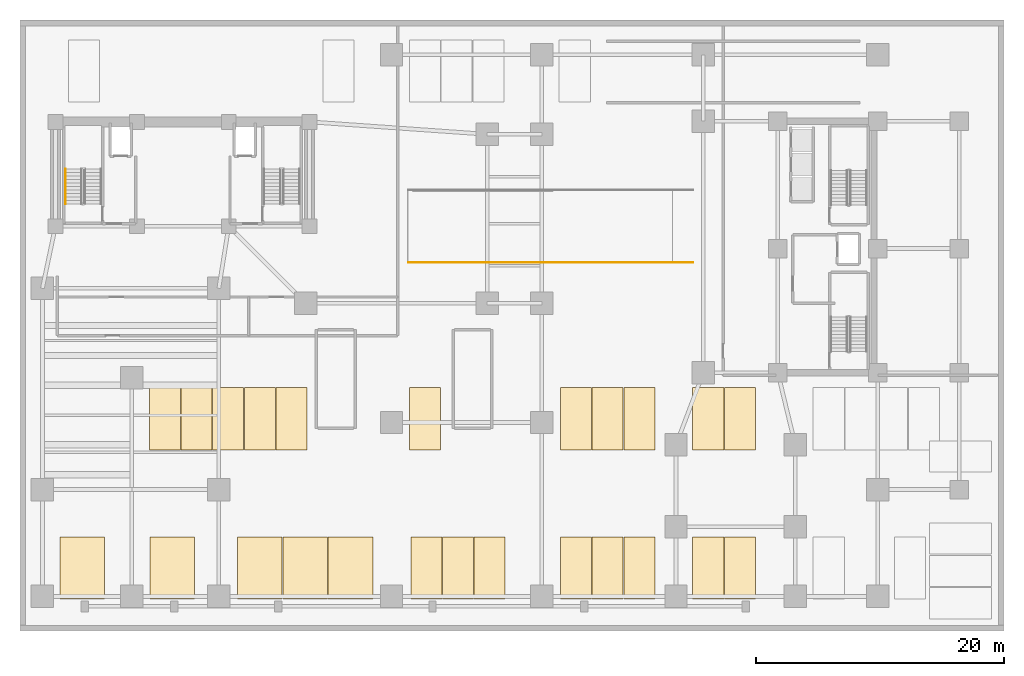
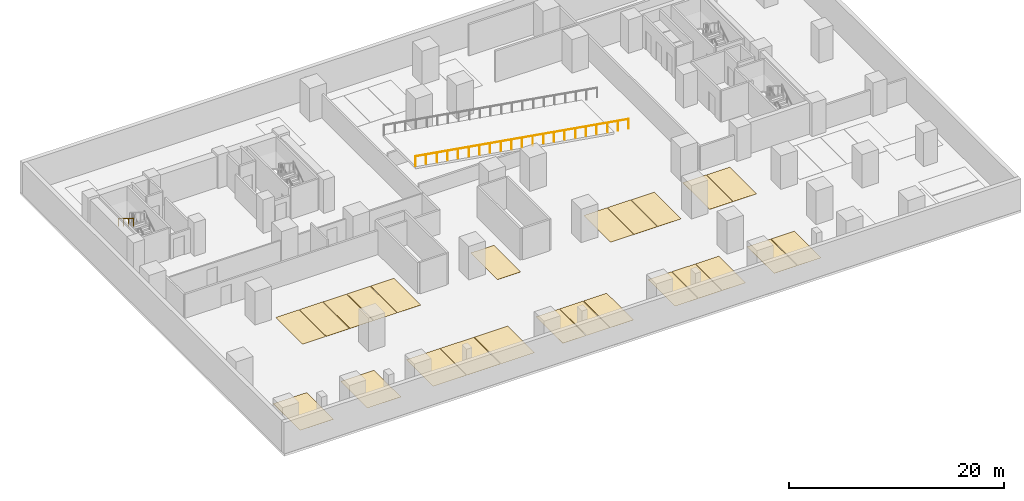
# One storey, part 5 of 9: 24 coverings, 2 railings.
"""IFC4 building model written with IfcOpenShell, lengths in metres."""

from ifc_helpers import new_model, si_unit, direction, frame, origin, origin_2d, place, context, subcontext, project, spatial, polyline, circle, outline, extrude, material, layer, layer_set, type_object, element, save


model = new_model("IFC4")

# Units and contexts
model_context = context("Model", 3, precision=1e-05, world=origin(), true_north=direction((0.0, 1.0)))
body_context = subcontext(model_context, "Body", "Model", "MODEL_VIEW")
ifc_project = project(units=[si_unit("LENGTHUNIT", "METRE"), si_unit("AREAUNIT", "SQUARE_METRE"), si_unit("VOLUMEUNIT", "CUBIC_METRE"), si_unit("PLANEANGLEUNIT", "RADIAN"), si_unit("MASSUNIT", "GRAM", prefix="KILO")], contexts=[model_context])

# Site, building, storey
site_placement = place(None, origin())
site = spatial("IfcSite", under=ifc_project, at=site_placement, CompositionType="ELEMENT")
building_placement = place(site_placement, origin())
building = spatial("IfcBuilding", under=site, at=building_placement, Name="Kuzgunbayir Cultural Tower", CompositionType="ELEMENT")
storey_placement = place(building_placement, frame((0.0, 0.0, -7.60009765625)))
storey = spatial("IfcBuildingStorey", under=building, at=storey_placement, Name="B02", CompositionType="ELEMENT", Elevation=-7.60009765625)

# Coverings
ifc_material_1 = material(Name="Accessible Car Park Bay Coating", Category="finish")
ifc_layer_1 = layer(ifc_material_1, 0.006103515625)
ifc_layer_set_1 = layer_set([ifc_layer_1], Name="Accessible Car Park Bay Coating")
covering_type_1 = type_object("IfcCoveringType", Name="COV-PARK-ACC", PredefinedType="FLOORING", material=ifc_layer_set_1)
covering_1_placement = place(storey_placement, origin())
element("IfcCovering", 1, at=covering_1_placement, inside=storey, type_object=covering_type_1, Name="B02-PA01 Accessible Parking Bay Marking", PredefinedType="FLOORING", context=body_context, shape_type="SweptSolid", body=[
    extrude(outline(polyline([(6.800048828125, 3.800048828125), (10.39990234375, 3.800048828125), (10.39990234375, 8.800048828125), (6.800048828125, 8.800048828125), (6.800048828125, 3.800048828125)])), origin(), (0.0, 0.0, 1.0), 0.010009765625),
])
covering_2_placement = place(storey_placement, origin())
element("IfcCovering", 2, at=covering_2_placement, inside=storey, type_object=covering_type_1, Name="B02-PA02 Accessible Parking Bay Marking", PredefinedType="FLOORING", context=body_context, shape_type="SweptSolid", body=[
    extrude(outline(polyline([(14.050048828125, 3.800048828125), (17.64990234375, 3.800048828125), (17.64990234375, 8.800048828125), (14.050048828125, 8.800048828125), (14.050048828125, 3.800048828125)])), origin(), (0.0, 0.0, 1.0), 0.010009765625),
])
covering_3_placement = place(storey_placement, origin())
element("IfcCovering", 3, at=covering_3_placement, inside=storey, type_object=covering_type_1, Name="B02-PA03 Accessible Parking Bay Marking", PredefinedType="FLOORING", context=body_context, shape_type="SweptSolid", body=[
    extrude(outline(polyline([(21.10009765625, 3.800048828125), (24.699951171875, 3.800048828125), (24.699951171875, 8.800048828125), (21.10009765625, 8.800048828125), (21.10009765625, 3.800048828125)])), origin(), (0.0, 0.0, 1.0), 0.010009765625),
])
covering_4_placement = place(storey_placement, origin())
element("IfcCovering", 4, at=covering_4_placement, inside=storey, type_object=covering_type_1, Name="B02-PA04 Accessible Parking Bay Marking", PredefinedType="FLOORING", context=body_context, shape_type="SweptSolid", body=[
    extrude(outline(polyline([(24.75, 3.800048828125), (28.35009765625, 3.800048828125), (28.35009765625, 8.800048828125), (24.75, 8.800048828125), (24.75, 3.800048828125)])), origin(), (0.0, 0.0, 1.0), 0.010009765625),
])
covering_5_placement = place(storey_placement, origin())
element("IfcCovering", 5, at=covering_5_placement, inside=storey, type_object=covering_type_1, Name="B02-PA05 Accessible Parking Bay Marking", PredefinedType="FLOORING", context=body_context, shape_type="SweptSolid", body=[
    extrude(outline(polyline([(28.39990234375, 3.800048828125), (32.0, 3.800048828125), (32.0, 8.800048828125), (28.39990234375, 8.800048828125), (28.39990234375, 3.800048828125)])), origin(), (0.0, 0.0, 1.0), 0.010009765625),
])
ifc_material_2 = material(Name="Epoxy Car Park Deck Coating", Category="finish")
ifc_layer_2 = layer(ifc_material_2, 0.006103515625)
ifc_layer_set_2 = layer_set([ifc_layer_2], Name="Epoxy Car Park Deck Coating")
covering_type_2 = type_object("IfcCoveringType", Name="COV-PARK-BAY", PredefinedType="FLOORING", material=ifc_layer_set_2)
covering_6_placement = place(storey_placement, origin())
element("IfcCovering", 6, at=covering_6_placement, inside=storey, type_object=covering_type_2, Name="B02-P001 Car Parking Bay Marking", PredefinedType="FLOORING", context=body_context, shape_type="SweptSolid", body=[
    extrude(outline(polyline([(35.050048828125, 3.800048828125), (37.550048828125, 3.800048828125), (37.550048828125, 8.800048828125), (35.050048828125, 8.800048828125), (35.050048828125, 3.800048828125)])), origin(), (0.0, 0.0, 1.0), 0.010009765625),
])
covering_7_placement = place(storey_placement, origin())
element("IfcCovering", 7, at=covering_7_placement, inside=storey, type_object=covering_type_2, Name="B02-P002 Car Parking Bay Marking", PredefinedType="FLOORING", context=body_context, shape_type="SweptSolid", body=[
    extrude(outline(polyline([(37.60009765625, 3.800048828125), (40.10009765625, 3.800048828125), (40.10009765625, 8.800048828125), (37.60009765625, 8.800048828125), (37.60009765625, 3.800048828125)])), origin(), (0.0, 0.0, 1.0), 0.010009765625),
])
covering_8_placement = place(storey_placement, origin())
element("IfcCovering", 8, at=covering_8_placement, inside=storey, type_object=covering_type_2, Name="B02-P003 Car Parking Bay Marking", PredefinedType="FLOORING", context=body_context, shape_type="SweptSolid", body=[
    extrude(outline(polyline([(40.14990234375, 3.800048828125), (42.64990234375, 3.800048828125), (42.64990234375, 8.800048828125), (40.14990234375, 8.800048828125), (40.14990234375, 3.800048828125)])), origin(), (0.0, 0.0, 1.0), 0.010009765625),
])
covering_9_placement = place(storey_placement, origin())
element("IfcCovering", 9, at=covering_9_placement, inside=storey, type_object=covering_type_2, Name="B02-P004 Car Parking Bay Marking", PredefinedType="FLOORING", context=body_context, shape_type="SweptSolid", body=[
    extrude(outline(polyline([(47.10009765625, 3.800048828125), (49.60009765625, 3.800048828125), (49.60009765625, 8.800048828125), (47.10009765625, 8.800048828125), (47.10009765625, 3.800048828125)])), origin(), (0.0, 0.0, 1.0), 0.010009765625),
])
covering_10_placement = place(storey_placement, origin())
element("IfcCovering", 10, at=covering_10_placement, inside=storey, type_object=covering_type_2, Name="B02-P005 Car Parking Bay Marking", PredefinedType="FLOORING", context=body_context, shape_type="SweptSolid", body=[
    extrude(outline(polyline([(49.64990234375, 3.800048828125), (52.14990234375, 3.800048828125), (52.14990234375, 8.800048828125), (49.64990234375, 8.800048828125), (49.64990234375, 3.800048828125)])), origin(), (0.0, 0.0, 1.0), 0.010009765625),
])
covering_11_placement = place(storey_placement, origin())
element("IfcCovering", 11, at=covering_11_placement, inside=storey, type_object=covering_type_2, Name="B02-P006 Car Parking Bay Marking", PredefinedType="FLOORING", context=body_context, shape_type="SweptSolid", body=[
    extrude(outline(polyline([(52.199951171875, 3.800048828125), (54.699951171875, 3.800048828125), (54.699951171875, 8.800048828125), (52.199951171875, 8.800048828125), (52.199951171875, 3.800048828125)])), origin(), (0.0, 0.0, 1.0), 0.010009765625),
])
covering_12_placement = place(storey_placement, origin())
element("IfcCovering", 12, at=covering_12_placement, inside=storey, type_object=covering_type_2, Name="B02-P007 Car Parking Bay Marking", PredefinedType="FLOORING", context=body_context, shape_type="SweptSolid", body=[
    extrude(outline(polyline([(57.75, 3.800048828125), (60.25, 3.800048828125), (60.25, 8.800048828125), (57.75, 8.800048828125), (57.75, 3.800048828125)])), origin(), (0.0, 0.0, 1.0), 0.010009765625),
])
covering_13_placement = place(storey_placement, origin())
element("IfcCovering", 13, at=covering_13_placement, inside=storey, type_object=covering_type_2, Name="B02-P008 Car Parking Bay Marking", PredefinedType="FLOORING", context=body_context, shape_type="SweptSolid", body=[
    extrude(outline(polyline([(60.300048828125, 3.800048828125), (62.800048828125, 3.800048828125), (62.800048828125, 8.800048828125), (60.300048828125, 8.800048828125), (60.300048828125, 3.800048828125)])), origin(), (0.0, 0.0, 1.0), 0.010009765625),
])
covering_14_placement = place(storey_placement, origin())
element("IfcCovering", 14, at=covering_14_placement, inside=storey, type_object=covering_type_2, Name="B02-P011 Car Parking Bay Marking", PredefinedType="FLOORING", context=body_context, shape_type="SweptSolid", body=[
    extrude(outline(polyline([(14.0, 15.800048828125), (16.5, 15.800048828125), (16.5, 20.800048828125), (14.0, 20.800048828125), (14.0, 15.800048828125)])), origin(), (0.0, 0.0, 1.0), 0.010009765625),
])
covering_15_placement = place(storey_placement, origin())
element("IfcCovering", 15, at=covering_15_placement, inside=storey, type_object=covering_type_2, Name="B02-P012 Car Parking Bay Marking", PredefinedType="FLOORING", context=body_context, shape_type="SweptSolid", body=[
    extrude(outline(polyline([(16.550048828125, 15.800048828125), (19.050048828125, 15.800048828125), (19.050048828125, 20.800048828125), (16.550048828125, 20.800048828125), (16.550048828125, 15.800048828125)])), origin(), (0.0, 0.0, 1.0), 0.010009765625),
])
covering_16_placement = place(storey_placement, origin())
element("IfcCovering", 16, at=covering_16_placement, inside=storey, type_object=covering_type_2, Name="B02-P013 Car Parking Bay Marking", PredefinedType="FLOORING", context=body_context, shape_type="SweptSolid", body=[
    extrude(outline(polyline([(19.10009765625, 15.800048828125), (21.60009765625, 15.800048828125), (21.60009765625, 20.800048828125), (19.10009765625, 20.800048828125), (19.10009765625, 15.800048828125)])), origin(), (0.0, 0.0, 1.0), 0.010009765625),
])
covering_17_placement = place(storey_placement, origin())
element("IfcCovering", 17, at=covering_17_placement, inside=storey, type_object=covering_type_2, Name="B02-P014 Car Parking Bay Marking", PredefinedType="FLOORING", context=body_context, shape_type="SweptSolid", body=[
    extrude(outline(polyline([(21.64990234375, 15.800048828125), (24.14990234375, 15.800048828125), (24.14990234375, 20.800048828125), (21.64990234375, 20.800048828125), (21.64990234375, 15.800048828125)])), origin(), (0.0, 0.0, 1.0), 0.010009765625),
])
covering_18_placement = place(storey_placement, origin())
element("IfcCovering", 18, at=covering_18_placement, inside=storey, type_object=covering_type_2, Name="B02-P015 Car Parking Bay Marking", PredefinedType="FLOORING", context=body_context, shape_type="SweptSolid", body=[
    extrude(outline(polyline([(24.199951171875, 15.800048828125), (26.699951171875, 15.800048828125), (26.699951171875, 20.800048828125), (24.199951171875, 20.800048828125), (24.199951171875, 15.800048828125)])), origin(), (0.0, 0.0, 1.0), 0.010009765625),
])
covering_19_placement = place(storey_placement, origin())
element("IfcCovering", 19, at=covering_19_placement, inside=storey, type_object=covering_type_2, Name="B02-P016 Car Parking Bay Marking", PredefinedType="FLOORING", context=body_context, shape_type="SweptSolid", body=[
    extrude(outline(polyline([(34.949951171875, 15.800048828125), (37.449951171875, 15.800048828125), (37.449951171875, 20.800048828125), (34.949951171875, 20.800048828125), (34.949951171875, 15.800048828125)])), origin(), (0.0, 0.0, 1.0), 0.010009765625),
])
covering_20_placement = place(storey_placement, origin())
element("IfcCovering", 20, at=covering_20_placement, inside=storey, type_object=covering_type_2, Name="B02-P017 Car Parking Bay Marking", PredefinedType="FLOORING", context=body_context, shape_type="SweptSolid", body=[
    extrude(outline(polyline([(47.10009765625, 15.800048828125), (49.60009765625, 15.800048828125), (49.60009765625, 20.800048828125), (47.10009765625, 20.800048828125), (47.10009765625, 15.800048828125)])), origin(), (0.0, 0.0, 1.0), 0.010009765625),
])
covering_21_placement = place(storey_placement, origin())
element("IfcCovering", 21, at=covering_21_placement, inside=storey, type_object=covering_type_2, Name="B02-P018 Car Parking Bay Marking", PredefinedType="FLOORING", context=body_context, shape_type="SweptSolid", body=[
    extrude(outline(polyline([(49.64990234375, 15.800048828125), (52.14990234375, 15.800048828125), (52.14990234375, 20.800048828125), (49.64990234375, 20.800048828125), (49.64990234375, 15.800048828125)])), origin(), (0.0, 0.0, 1.0), 0.010009765625),
])
covering_22_placement = place(storey_placement, origin())
element("IfcCovering", 22, at=covering_22_placement, inside=storey, type_object=covering_type_2, Name="B02-P019 Car Parking Bay Marking", PredefinedType="FLOORING", context=body_context, shape_type="SweptSolid", body=[
    extrude(outline(polyline([(52.199951171875, 15.800048828125), (54.699951171875, 15.800048828125), (54.699951171875, 20.800048828125), (52.199951171875, 20.800048828125), (52.199951171875, 15.800048828125)])), origin(), (0.0, 0.0, 1.0), 0.010009765625),
])
covering_23_placement = place(storey_placement, origin())
element("IfcCovering", 23, at=covering_23_placement, inside=storey, type_object=covering_type_2, Name="B02-P020 Car Parking Bay Marking", PredefinedType="FLOORING", context=body_context, shape_type="SweptSolid", body=[
    extrude(outline(polyline([(57.75, 15.800048828125), (60.25, 15.800048828125), (60.25, 20.800048828125), (57.75, 20.800048828125), (57.75, 15.800048828125)])), origin(), (0.0, 0.0, 1.0), 0.010009765625),
])
covering_24_placement = place(storey_placement, origin())
element("IfcCovering", 24, at=covering_24_placement, inside=storey, type_object=covering_type_2, Name="B02-P021 Car Parking Bay Marking", PredefinedType="FLOORING", context=body_context, shape_type="SweptSolid", body=[
    extrude(outline(polyline([(60.300048828125, 15.800048828125), (62.800048828125, 15.800048828125), (62.800048828125, 20.800048828125), (60.300048828125, 20.800048828125), (60.300048828125, 15.800048828125)])), origin(), (0.0, 0.0, 1.0), 0.010009765625),
])

# Railings
ifc_material_3 = material(Name="Brushed Stainless Steel", Category="steel")
ifc_layer_3 = layer(ifc_material_3, 0.050048828125)
ifc_layer_set_3 = layer_set([ifc_layer_3], Name="Brushed Stainless Steel")
railing_type_1 = type_object("IfcRailingType", Name="RLG-STAIR-HANDRAIL", PredefinedType="HANDRAIL", material=ifc_layer_set_3)
railing_1_placement = place(storey_placement, frame((7.25, 38.39990234375, 2.07275390625)))
element("IfcRailing", 25, at=railing_1_placement, inside=storey, type_object=railing_type_1, Name="B02 ST-1 stair handrail 2", PredefinedType="HANDRAIL", context=body_context, shape_type="SweptSolid", body=[
    extrude(circle(Radius=0.02392578125, at=origin_2d()), frame((0.0, 0.0, 0.8759765625), z_axis=(0.0, -0.851069175582, 0.525053576669), x_axis=(1.0, 0.0, 0.0)), (0.0, 0.0, 1.0), 3.289794921875),
    extrude(circle(Radius=0.02099609375, at=origin_2d()), origin(), (0.0, 0.0, 1.0), 0.851806640625),
    extrude(circle(Radius=0.02099609375, at=origin_2d()), frame((0.0, -0.933349609375, 0.57568359375)), (0.0, 0.0, 1.0), 0.851806640625),
    extrude(circle(Radius=0.02099609375, at=origin_2d()), frame((0.0, -1.866455078125, 1.151611328125)), (0.0, 0.0, 1.0), 0.851806640625),
    extrude(circle(Radius=0.02099609375, at=origin_2d()), frame((0.0, -2.7998046875, 1.727294921875)), (0.0, 0.0, 1.0), 0.851806640625),
])
ifc_material_4 = material(Name="Painted Steel Balustrade", Category="steel")
ifc_layer_4 = layer(ifc_material_4, 0.06005859375)
ifc_layer_set_4 = layer_set([ifc_layer_4], Name="Painted Steel Balustrade")
railing_type_2 = type_object("IfcRailingType", Name="RLG-WELL-GUARD", PredefinedType="GUARDRAIL", material=ifc_layer_set_4)
railing_2_placement = place(storey_placement, frame((57.75, 30.8798828125, 0.010009765625)))
element("IfcRailing", 26, at=railing_2_placement, inside=storey, type_object=railing_type_2, Name="B02 Ramp VR-2 Flight South Guard", PredefinedType="GUARDRAIL", context=body_context, shape_type="SweptSolid", body=[
    extrude(circle(Radius=0.02392578125, at=origin_2d()), frame((0.0, 0.0, 1.1259765625), z_axis=(-0.986648593487, 0.0, 0.162863602347), x_axis=(0.0, -1.0, 0.0)), (0.0, 0.0, 1.0), 23.209716796875),
    extrude(circle(Radius=0.02099609375, at=origin_2d()), origin(), (0.0, 0.0, 1.0), 1.101806640625),
    extrude(circle(Radius=0.02099609375, at=origin_2d()), frame((-1.14501953125, 0.0, 0.18896484375)), (0.0, 0.0, 1.0), 1.101806640625),
    extrude(circle(Radius=0.02099609375, at=origin_2d()), frame((-2.2900390625, 0.0, 0.3779296875)), (0.0, 0.0, 1.0), 1.101806640625),
    extrude(circle(Radius=0.02099609375, at=origin_2d()), frame((-3.43505859375, 0.0, 0.56689453125)), (0.0, 0.0, 1.0), 1.101806640625),
    extrude(circle(Radius=0.02099609375, at=origin_2d()), frame((-4.580078125, 0.0, 0.756103515625)), (0.0, 0.0, 1.0), 1.101806640625),
    extrude(circle(Radius=0.02099609375, at=origin_2d()), frame((-5.72509765625, 0.0, 0.945068359375)), (0.0, 0.0, 1.0), 1.101806640625),
    extrude(circle(Radius=0.02099609375, at=origin_2d()), frame((-6.869873046875, 0.0, 1.134033203125)), (0.0, 0.0, 1.0), 1.101806640625),
    extrude(circle(Radius=0.02099609375, at=origin_2d()), frame((-8.014892578125, 0.0, 1.322998046875)), (0.0, 0.0, 1.0), 1.101806640625),
    extrude(circle(Radius=0.02099609375, at=origin_2d()), frame((-9.159912109375, 0.0, 1.511962890625)), (0.0, 0.0, 1.0), 1.101806640625),
    extrude(circle(Radius=0.02099609375, at=origin_2d()), frame((-10.304931640625, 0.0, 1.700927734375)), (0.0, 0.0, 1.0), 1.101806640625),
    extrude(circle(Radius=0.02099609375, at=origin_2d()), frame((-11.449951171875, 0.0, 1.89013671875)), (0.0, 0.0, 1.0), 1.101806640625),
    extrude(circle(Radius=0.02099609375, at=origin_2d()), frame((-12.594970703125, 0.0, 2.0791015625)), (0.0, 0.0, 1.0), 1.101806640625),
    extrude(circle(Radius=0.02099609375, at=origin_2d()), frame((-13.739990234375, 0.0, 2.26806640625)), (0.0, 0.0, 1.0), 1.101806640625),
    extrude(circle(Radius=0.02099609375, at=origin_2d()), frame((-14.885009765625, 0.0, 2.45703125)), (0.0, 0.0, 1.0), 1.101806640625),
    extrude(circle(Radius=0.02099609375, at=origin_2d()), frame((-16.030029296875, 0.0, 2.64599609375)), (0.0, 0.0, 1.0), 1.101806640625),
    extrude(circle(Radius=0.02099609375, at=origin_2d()), frame((-17.1748046875, 0.0, 2.8349609375)), (0.0, 0.0, 1.0), 1.101806640625),
    extrude(circle(Radius=0.02099609375, at=origin_2d()), frame((-18.31982421875, 0.0, 3.02392578125)), (0.0, 0.0, 1.0), 1.101806640625),
    extrude(circle(Radius=0.02099609375, at=origin_2d()), frame((-19.46484375, 0.0, 3.213134765625)), (0.0, 0.0, 1.0), 1.101806640625),
    extrude(circle(Radius=0.02099609375, at=origin_2d()), frame((-20.60986328125, 0.0, 3.402099609375)), (0.0, 0.0, 1.0), 1.101806640625),
    extrude(circle(Radius=0.02099609375, at=origin_2d()), frame((-21.7548828125, 0.0, 3.591064453125)), (0.0, 0.0, 1.0), 1.101806640625),
    extrude(circle(Radius=0.02099609375, at=origin_2d()), frame((-22.89990234375, 0.0, 3.780029296875)), (0.0, 0.0, 1.0), 1.101806640625),
])

save(model, "model.ifc")
